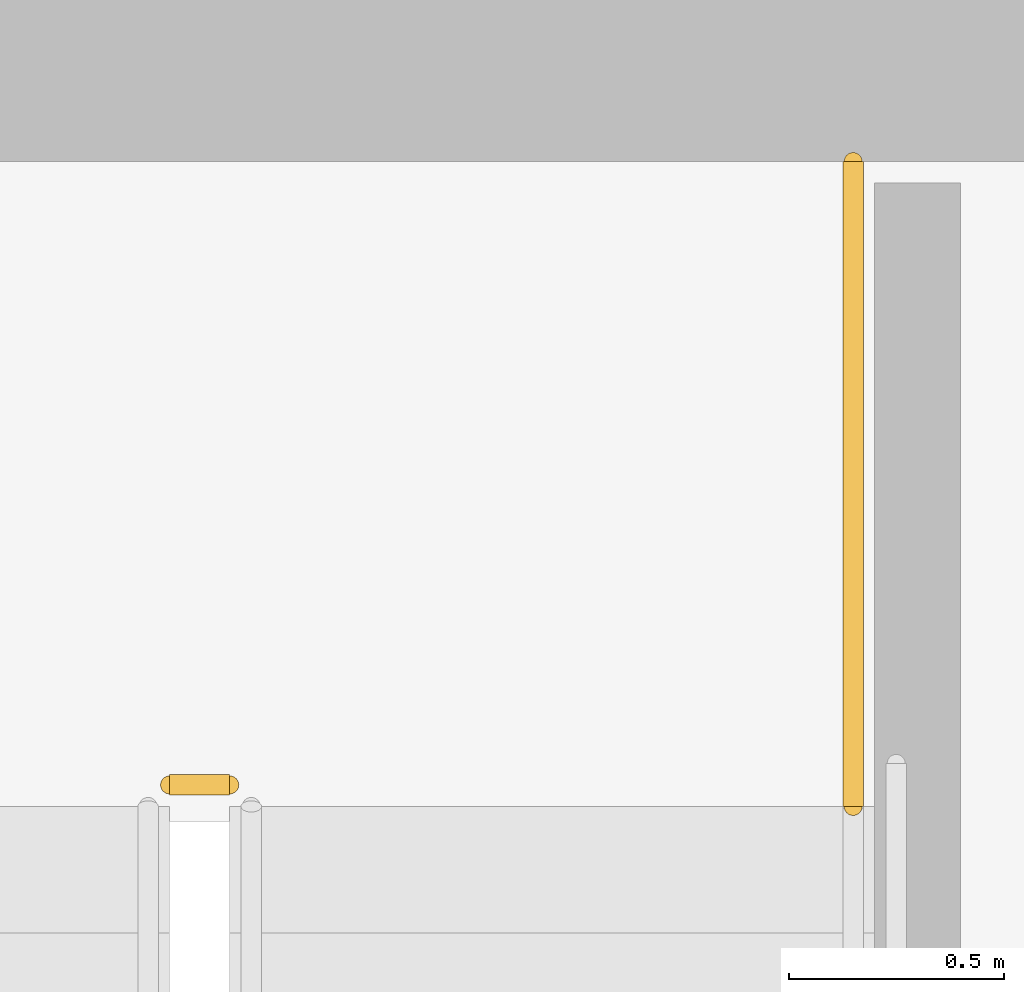
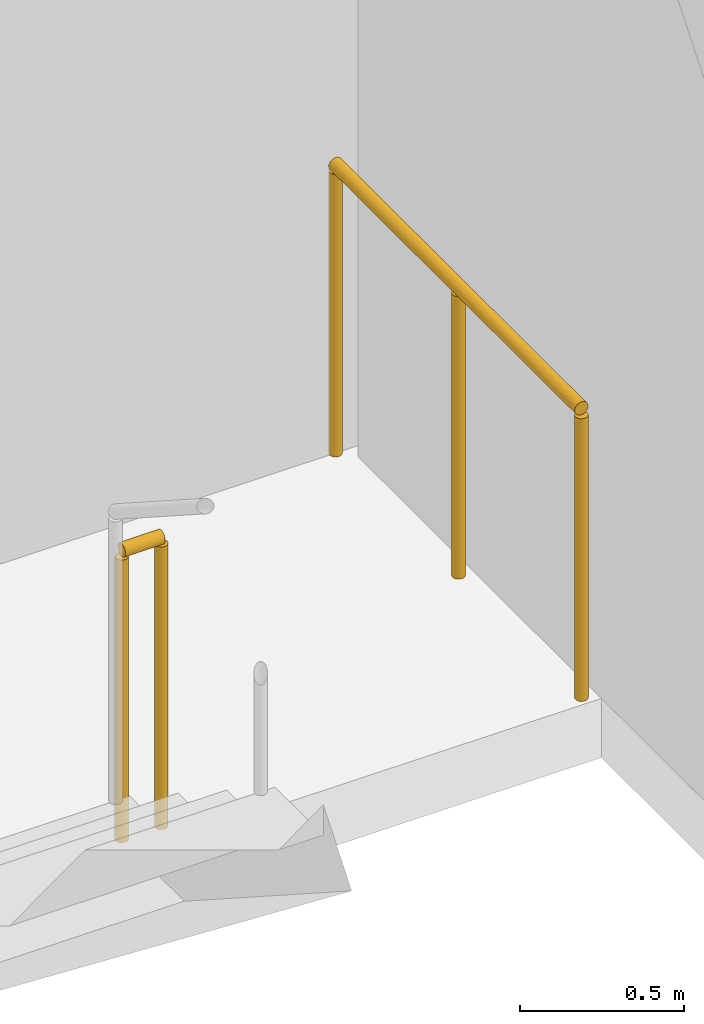
# One storey, part 32 of 32: 2 railings.
"""IFC4 building model written with IfcOpenShell, lengths in metres."""

from ifc_helpers import new_model, si_unit, direction, frame, origin, origin_2d, place, context, subcontext, project, spatial, circle, extrude, material, layer, layer_set, type_object, element, save


model = new_model("IFC4")

# Units and contexts
model_context = context("Model", 3, precision=1e-05, world=origin(), true_north=direction((0.0, 1.0)))
body_context = subcontext(model_context, "Body", "Model", "MODEL_VIEW")
ifc_project = project(units=[si_unit("LENGTHUNIT", "METRE"), si_unit("AREAUNIT", "SQUARE_METRE"), si_unit("VOLUMEUNIT", "CUBIC_METRE"), si_unit("PLANEANGLEUNIT", "RADIAN"), si_unit("MASSUNIT", "GRAM", prefix="KILO")], contexts=[model_context])

# Site, building, storey
site_placement = place(None, origin())
site = spatial("IfcSite", under=ifc_project, at=site_placement, CompositionType="ELEMENT")
building_placement = place(site_placement, origin())
building = spatial("IfcBuilding", under=site, at=building_placement, Name="Ndaravel Arena Tower", CompositionType="ELEMENT")
storey_placement = place(building_placement, frame((0.0, 0.0, 74.0)))
storey = spatial("IfcBuildingStorey", under=building, at=storey_placement, Name="L16", CompositionType="ELEMENT", Elevation=74.0)

# Railings
ifc_material = material(Name="Steel S355", Category="steel")
ifc_layer = layer(ifc_material, 0.06005859375)
ifc_layer_set = layer_set([ifc_layer], Name="Steel S355")
railing_type = type_object("IfcRailingType", Name="RAIL-STAIR-GD1100", PredefinedType="GUARDRAIL", material=ifc_layer_set)
railing_1_placement = place(storey_placement, frame((55.10009765625, 13.300048828125, 0.0)))
element("IfcRailing", 1, at=railing_1_placement, inside=storey, type_object=railing_type, Name="L16 ST-3 stair guard 4", PredefinedType="GUARDRAIL", context=body_context, shape_type="SweptSolid", body=[
    extrude(circle(Radius=0.02392578125, at=origin_2d()), frame((0.0, 0.0, 1.076171875), z_axis=(1.0, 0.0, 0.0), x_axis=(0.0, 1.0, 0.0)), (0.0, 0.0, 1.0), 0.139892578125),
    extrude(circle(Radius=0.02099609375, at=origin_2d()), origin(), (0.0, 0.0, 1.0), 1.052001953125),
    extrude(circle(Radius=0.02099609375, at=origin_2d()), frame((0.139892578125, 0.0, 0.0)), (0.0, 0.0, 1.0), 1.052001953125),
])
railing_2_placement = place(storey_placement, frame((56.68994140625, 14.75, 0.0)))
element("IfcRailing", 2, at=railing_2_placement, inside=storey, type_object=railing_type, Name="L16 ST-3 stair guard 5", PredefinedType="GUARDRAIL", context=body_context, shape_type="SweptSolid", body=[
    extrude(circle(Radius=0.02392578125, at=origin_2d()), frame((0.0, 0.0, 1.076171875), z_axis=(0.0, -1.0, 0.0), x_axis=(1.0, 0.0, 0.0)), (0.0, 0.0, 1.0), 1.5),
    extrude(circle(Radius=0.02099609375, at=origin_2d()), origin(), (0.0, 0.0, 1.0), 1.052001953125),
    extrude(circle(Radius=0.02099609375, at=origin_2d()), frame((0.0, -0.75, 0.0)), (0.0, 0.0, 1.0), 1.052001953125),
    extrude(circle(Radius=0.02099609375, at=origin_2d()), frame((0.0, -1.5, 0.0)), (0.0, 0.0, 1.0), 1.052001953125),
])

save(model, "model.ifc")
